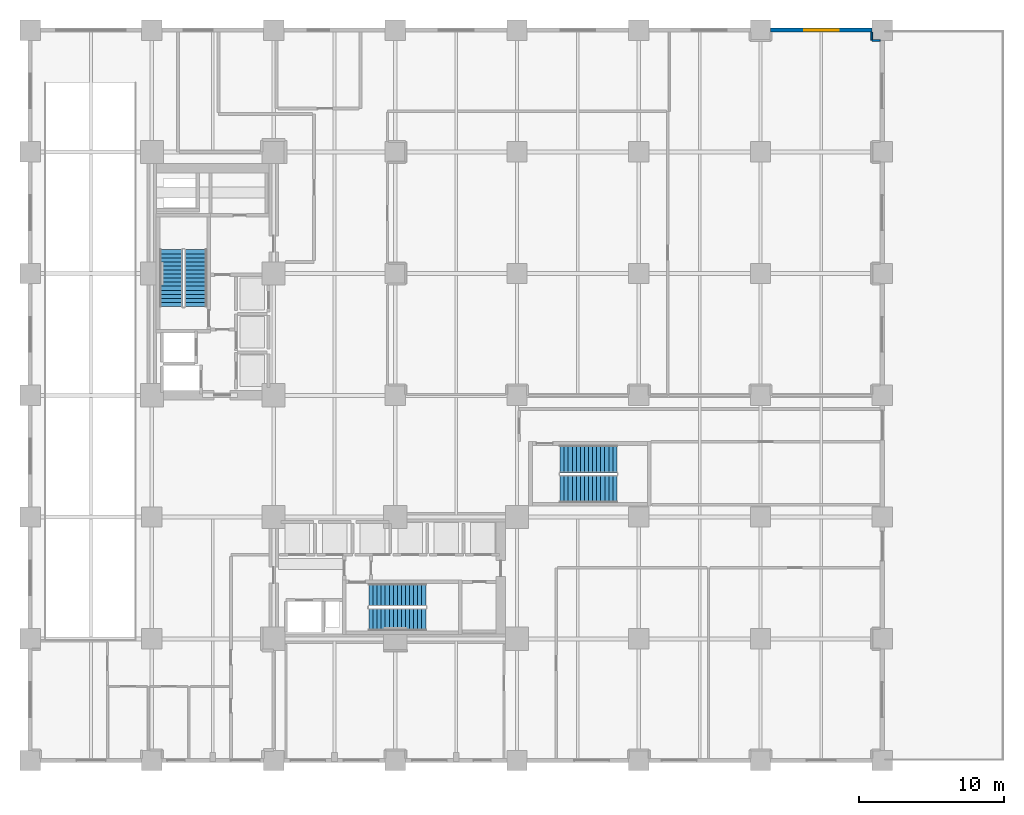
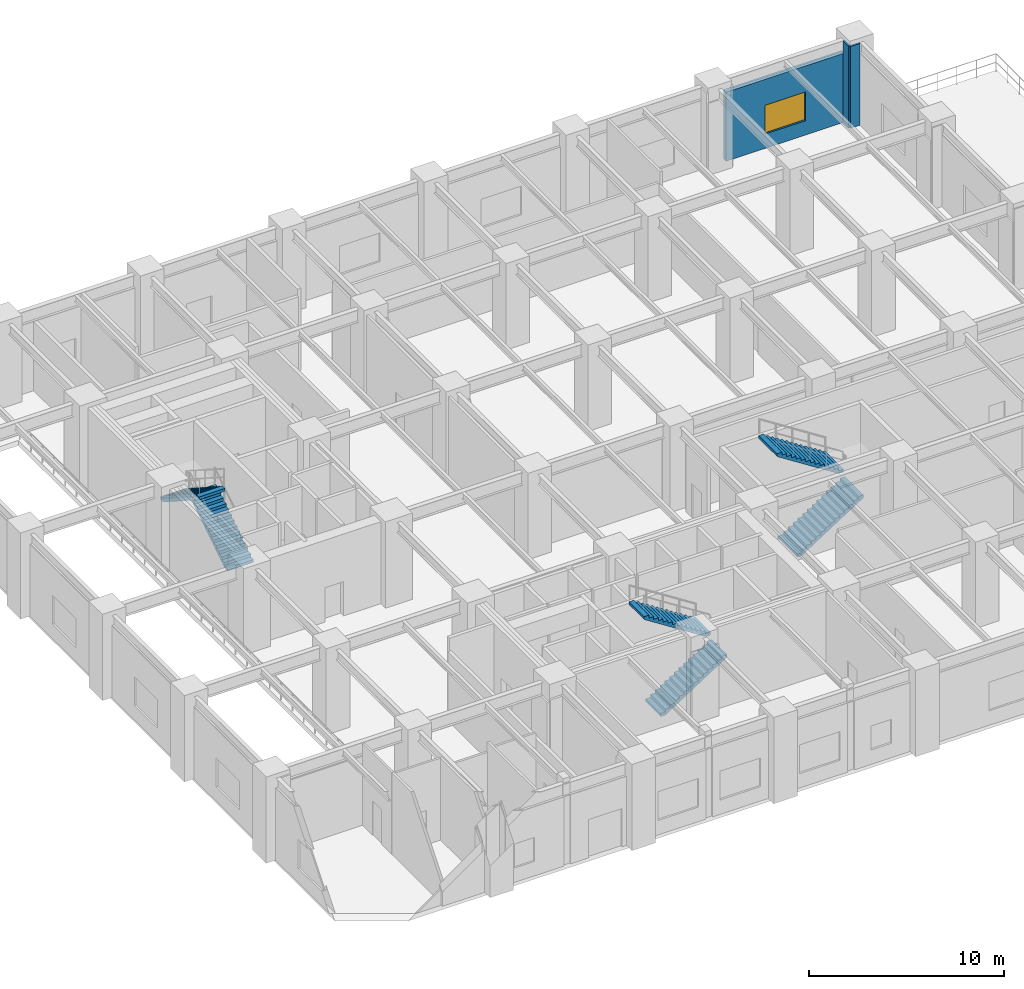
# One storey, part 8 of 13: 6 stair flights, 3 walls, 1 window, 1 opening, 3 elements without a shape of their own.
"""IFC4 building model written with IfcOpenShell, lengths in metres."""

from ifc_helpers import new_model, si_unit, direction, frame, frame_2d, origin, place, context, subcontext, project, spatial, polyline, rectangle, outline, extrude, material, layer, layer_set, type_object, element, fill, aggregate, save


model = new_model("IFC4")

# Units and contexts
model_context = context("Model", 3, precision=1e-05, world=origin(), true_north=direction((0.0, 1.0)))
body_context = subcontext(model_context, "Body", "Model", "MODEL_VIEW")
ifc_project = project(units=[si_unit("LENGTHUNIT", "METRE"), si_unit("AREAUNIT", "SQUARE_METRE"), si_unit("VOLUMEUNIT", "CUBIC_METRE"), si_unit("PLANEANGLEUNIT", "RADIAN"), si_unit("MASSUNIT", "GRAM", prefix="KILO")], contexts=[model_context])

# Site, building, storey
site_placement = place(None, origin())
site = spatial("IfcSite", under=ifc_project, at=site_placement, CompositionType="ELEMENT")
building_placement = place(site_placement, origin())
building = spatial("IfcBuilding", under=site, at=building_placement, Name="Nerrivon Quay Data Exchange", CompositionType="ELEMENT")
storey_placement = place(building_placement, origin())
storey = spatial("IfcBuildingStorey", under=building, at=storey_placement, Name="L00", CompositionType="ELEMENT", Elevation=0.0)

# Wall, opening, window
ifc_material_1 = material(Name="Precast concrete N50 (50 MPa)", Category="concrete")
ifc_layer_1 = layer(ifc_material_1, 0.280029296875)
ifc_layer_set_1 = layer_set([ifc_layer_1], Name="Precast concrete N50 (50 MPa)")
wall_type_1 = type_object("IfcWallType", Name="EW-PREC-280", PredefinedType="STANDARD", material=ifc_layer_set_1)
wall_1_placement = place(storey_placement, frame((51.10009765625, 50.39990234375, 0.0), z_axis=(0.0, 0.0, 1.0), x_axis=(1.0, 0.0, 0.0)))
wall_1 = element("IfcWall", 1, at=wall_1_placement, inside=storey, type_object=wall_type_1, Name="L00 Podium Exterior Wall 13", PredefinedType="STANDARD", context=body_context, shape_type="SweptSolid", body=[
    extrude(rectangle(XDim=7.0, YDim=0.280029296875, at=frame_2d((3.5, 0.0))), origin(), (0.0, 0.0, 1.0), 4.324951171875),
])
opening_placement = place(wall_1_placement, frame((2.300048828125, 0.0, 0.89990234375)))
opening = element("IfcOpeningElement", 2, at=opening_placement, cuts=wall_1, Name="Opening WN1", PredefinedType="OPENING", context=body_context, shape_type="SweptSolid", body=[
    extrude(rectangle(XDim=2.39990234375, YDim=1.800048828125, at=frame_2d((1.199951171875, 0.89990234375))), frame((0.0, 0.14990234375, 0.0), z_axis=(0.0, -1.0, 0.0), x_axis=(1.0, 0.0, 0.0)), (0.0, 0.0, 1.0), 0.300048828125),
])
ifc_material_2 = material(Name="Double-glazed low-E solar control glass", Category="glass")
window_type = type_object("IfcWindowType", Name="WIN-W1-2400x1800", PartitioningType="SINGLE_PANEL", PredefinedType="WINDOW", material=ifc_material_2)
window_placement = place(opening_placement, origin())
window = element("IfcWindow", 3, at=window_placement, inside=storey, type_object=window_type, Name="L00 Podium Window 13", OverallHeight=1.800048828125, OverallWidth=2.39990234375, PartitioningType="SINGLE_PANEL", PredefinedType="WINDOW", context=body_context, shape_type="SweptSolid", body=[
    extrude(rectangle(XDim=2.39990234375, YDim=1.800048828125, at=frame_2d((1.199951171875, 0.89990234375))), frame((0.0, 0.030029296875, 0.0), z_axis=(0.0, -1.0, 0.0), x_axis=(1.0, 0.0, 0.0)), (0.0, 0.0, 1.0), 0.06005859375),
])
fill(opening, window)

# Walls
ifc_material_3 = material(Name="Gypsum plasterboard on cold-formed framing", Category="gypsum")
ifc_layer_2 = layer(ifc_material_3, 0.1201171875)
ifc_layer_set_2 = layer_set([ifc_layer_2], Name="Gypsum plasterboard on cold-formed framing")
wall_type_2 = type_object("IfcWallType", Name="WALL-PT-120", PredefinedType="PARTITIONING", material=ifc_layer_set_2)
wall_2_placement = place(storey_placement, frame((58.656005859375, 49.679931640625, 0.0), z_axis=(0.0, 0.0, 1.0), x_axis=(-1.0, 0.0, 0.0)))
element("IfcWall", 4, at=wall_2_placement, inside=storey, type_object=wall_type_2, Name="L00 Partition Waterfront Cafe", PredefinedType="PARTITIONING", context=body_context, shape_type="SweptSolid", body=[
    extrude(rectangle(XDim=0.555908203125, YDim=0.1201171875, at=frame_2d((0.27783203125, 0.0))), origin(), (0.0, 0.0, 1.0), 5.125),
])
wall_3_placement = place(storey_placement, frame((58.080078125, 49.699951171875, 0.0), z_axis=(0.0, 0.0, 1.0), x_axis=(0.0, 1.0, 0.0)))
element("IfcWall", 5, at=wall_3_placement, inside=storey, type_object=wall_type_2, Name="L00 Partition Waterfront Cafe", PredefinedType="PARTITIONING", context=body_context, shape_type="SweptSolid", body=[
    extrude(rectangle(XDim=0.55615234375, YDim=0.1201171875, at=frame_2d((0.278076171875, 0.0))), origin(), (0.0, 0.0, 1.0), 5.125),
])

# Stair, stair flights
ifc_material_4 = material(Name="Concrete N50 (50 MPa)", Category="concrete")
stair_type = type_object("IfcStairType", Name="STAIR-DOG-54", PredefinedType="HALF_TURN_STAIR", material=ifc_material_4)
stair_1_placement = place(storey_placement, origin())
stair_1 = element("IfcStair", 6, at=stair_1_placement, inside=storey, type_object=stair_type, Name="L00 West Core Fire Stair ST01", PredefinedType="HALF_TURN_STAIR")
stair_flight_type = type_object("IfcStairFlightType", Name="FLIGHT-DOG-54", PredefinedType="STRAIGHT", material=ifc_material_4)
stair_flight_1_placement = place(storey_placement, frame((11.425048828125, 31.330078125, 0.0), z_axis=(0.0, 0.0, 1.0), x_axis=(0.0, 1.0, 0.0)))
stair_flight_1 = element("IfcStairFlight", 7, at=stair_flight_1_placement, type_object=stair_flight_type, Name="ST01 flight 1", NumberOfRisers=15, NumberOfTreads=14, PredefinedType="STRAIGHT", RiserHeight=0.18, TreadLength=0.28, context=body_context, shape_type="SweptSolid", body=[
    extrude(outline(polyline([(0.0, 0.0), (0.0, 0.179931640625), (0.280029296875, 0.179931640625), (0.280029296875, 0.360107421875), (0.56005859375, 0.360107421875), (0.56005859375, 0.5400390625), (0.840087890625, 0.5400390625), (0.840087890625, 0.719970703125), (1.1201171875, 0.719970703125), (1.1201171875, 0.89990234375), (1.39990234375, 0.89990234375), (1.39990234375, 1.080078125), (1.679931640625, 1.080078125), (1.679931640625, 1.260009765625), (1.9599609375, 1.260009765625), (1.9599609375, 1.43994140625), (2.239990234375, 1.43994140625), (2.239990234375, 1.6201171875), (2.52001953125, 1.6201171875), (2.52001953125, 1.800048828125), (2.800048828125, 1.800048828125), (2.800048828125, 1.97998046875), (3.080078125, 1.97998046875), (3.080078125, 2.159912109375), (3.360107421875, 2.159912109375), (3.360107421875, 2.340087890625), (3.639892578125, 2.340087890625), (3.639892578125, 2.52001953125), (3.919921875, 2.52001953125), (3.919921875, 2.699951171875), (3.919921875, 2.341796875), (0.277099609375, 0.0), (0.0, 0.0)])), frame((0.0, 0.77490234375, 0.0), z_axis=(0.0, -1.0, 0.0), x_axis=(1.0, 0.0, 0.0)), (0.0, 0.0, 1.0), 1.550048828125),
])
stair_flight_2_placement = place(storey_placement, frame((9.72509765625, 35.25, 2.699951171875), z_axis=(0.0, 0.0, 1.0), x_axis=(0.0, -1.0, 0.0)))
stair_flight_2 = element("IfcStairFlight", 8, at=stair_flight_2_placement, type_object=stair_flight_type, Name="ST01 flight 2", NumberOfRisers=15, NumberOfTreads=14, PredefinedType="STRAIGHT", RiserHeight=0.18, TreadLength=0.28, context=body_context, shape_type="SweptSolid", body=[
    extrude(outline(polyline([(0.0, 0.0), (0.0, 0.179931640625), (0.280029296875, 0.179931640625), (0.280029296875, 0.360107421875), (0.56005859375, 0.360107421875), (0.56005859375, 0.5400390625), (0.840087890625, 0.5400390625), (0.840087890625, 0.719970703125), (1.1201171875, 0.719970703125), (1.1201171875, 0.89990234375), (1.39990234375, 0.89990234375), (1.39990234375, 1.080078125), (1.679931640625, 1.080078125), (1.679931640625, 1.260009765625), (1.9599609375, 1.260009765625), (1.9599609375, 1.43994140625), (2.239990234375, 1.43994140625), (2.239990234375, 1.6201171875), (2.52001953125, 1.6201171875), (2.52001953125, 1.800048828125), (2.800048828125, 1.800048828125), (2.800048828125, 1.97998046875), (3.080078125, 1.97998046875), (3.080078125, 2.159912109375), (3.360107421875, 2.159912109375), (3.360107421875, 2.340087890625), (3.639892578125, 2.340087890625), (3.639892578125, 2.52001953125), (3.919921875, 2.52001953125), (3.919921875, 2.699951171875), (3.919921875, 2.341796875), (0.277099609375, 0.0), (0.0, 0.0)])), frame((0.0, 0.77490234375, 0.0), z_axis=(0.0, -1.0, 0.0), x_axis=(1.0, 0.0, 0.0)), (0.0, 0.0, 1.0), 1.550048828125),
])
aggregate(stair_1, [stair_flight_1, stair_flight_2])

stair_2_placement = place(storey_placement, origin())
stair_2 = element("IfcStair", 9, at=stair_2_placement, inside=storey, type_object=stair_type, Name="L00 East Core Fire Stair ST02", PredefinedType="HALF_TURN_STAIR")
stair_flight_3_placement = place(storey_placement, frame((23.3798828125, 9.72509765625, 0.0), z_axis=(0.0, 0.0, 1.0), x_axis=(1.0, 0.0, 0.0)))
stair_flight_3 = element("IfcStairFlight", 10, at=stair_flight_3_placement, type_object=stair_flight_type, Name="ST02 flight 1", NumberOfRisers=15, NumberOfTreads=14, PredefinedType="STRAIGHT", RiserHeight=0.18, TreadLength=0.28, context=body_context, shape_type="SweptSolid", body=[
    extrude(outline(polyline([(0.0, 0.0), (0.0, 0.179931640625), (0.280029296875, 0.179931640625), (0.280029296875, 0.360107421875), (0.56005859375, 0.360107421875), (0.56005859375, 0.5400390625), (0.840087890625, 0.5400390625), (0.840087890625, 0.719970703125), (1.1201171875, 0.719970703125), (1.1201171875, 0.89990234375), (1.39990234375, 0.89990234375), (1.39990234375, 1.080078125), (1.679931640625, 1.080078125), (1.679931640625, 1.260009765625), (1.9599609375, 1.260009765625), (1.9599609375, 1.43994140625), (2.239990234375, 1.43994140625), (2.239990234375, 1.6201171875), (2.52001953125, 1.6201171875), (2.52001953125, 1.800048828125), (2.800048828125, 1.800048828125), (2.800048828125, 1.97998046875), (3.080078125, 1.97998046875), (3.080078125, 2.159912109375), (3.360107421875, 2.159912109375), (3.360107421875, 2.340087890625), (3.639892578125, 2.340087890625), (3.639892578125, 2.52001953125), (3.919921875, 2.52001953125), (3.919921875, 2.699951171875), (3.919921875, 2.341796875), (0.277099609375, 0.0), (0.0, 0.0)])), frame((0.0, 0.77490234375, 0.0), z_axis=(0.0, -1.0, 0.0), x_axis=(1.0, 0.0, 0.0)), (0.0, 0.0, 1.0), 1.550048828125),
])
stair_flight_4_placement = place(storey_placement, frame((27.300048828125, 11.425048828125, 2.699951171875), z_axis=(0.0, 0.0, 1.0), x_axis=(-1.0, 0.0, 0.0)))
stair_flight_4 = element("IfcStairFlight", 11, at=stair_flight_4_placement, type_object=stair_flight_type, Name="ST02 flight 2", NumberOfRisers=15, NumberOfTreads=14, PredefinedType="STRAIGHT", RiserHeight=0.18, TreadLength=0.28, context=body_context, shape_type="SweptSolid", body=[
    extrude(outline(polyline([(0.0, 0.0), (0.0, 0.179931640625), (0.280029296875, 0.179931640625), (0.280029296875, 0.360107421875), (0.56005859375, 0.360107421875), (0.56005859375, 0.5400390625), (0.840087890625, 0.5400390625), (0.840087890625, 0.719970703125), (1.1201171875, 0.719970703125), (1.1201171875, 0.89990234375), (1.39990234375, 0.89990234375), (1.39990234375, 1.080078125), (1.679931640625, 1.080078125), (1.679931640625, 1.260009765625), (1.9599609375, 1.260009765625), (1.9599609375, 1.43994140625), (2.239990234375, 1.43994140625), (2.239990234375, 1.6201171875), (2.52001953125, 1.6201171875), (2.52001953125, 1.800048828125), (2.800048828125, 1.800048828125), (2.800048828125, 1.97998046875), (3.080078125, 1.97998046875), (3.080078125, 2.159912109375), (3.360107421875, 2.159912109375), (3.360107421875, 2.340087890625), (3.639892578125, 2.340087890625), (3.639892578125, 2.52001953125), (3.919921875, 2.52001953125), (3.919921875, 2.699951171875), (3.919921875, 2.341796875), (0.277099609375, 0.0), (0.0, 0.0)])), frame((0.0, 0.77490234375, 0.0), z_axis=(0.0, -1.0, 0.0), x_axis=(1.0, 0.0, 0.0)), (0.0, 0.0, 1.0), 1.550048828125),
])
aggregate(stair_2, [stair_flight_3, stair_flight_4])

stair_3_placement = place(storey_placement, origin())
stair_3 = element("IfcStair", 12, at=stair_3_placement, inside=storey, type_object=stair_type, Name="L00 Podium Exit Stair ST03", PredefinedType="HALF_TURN_STAIR")
stair_flight_5_placement = place(storey_placement, frame((36.570068359375, 18.75, 0.0), z_axis=(0.0, 0.0, 1.0), x_axis=(1.0, 0.0, 0.0)))
stair_flight_5 = element("IfcStairFlight", 13, at=stair_flight_5_placement, type_object=stair_flight_type, Name="ST03 flight 1", NumberOfRisers=15, NumberOfTreads=14, PredefinedType="STRAIGHT", RiserHeight=0.18, TreadLength=0.28, context=body_context, shape_type="SweptSolid", body=[
    extrude(outline(polyline([(0.0, 0.0), (0.0, 0.179931640625), (0.280029296875, 0.179931640625), (0.280029296875, 0.360107421875), (0.56005859375, 0.360107421875), (0.56005859375, 0.5400390625), (0.840087890625, 0.5400390625), (0.840087890625, 0.719970703125), (1.1201171875, 0.719970703125), (1.1201171875, 0.89990234375), (1.39990234375, 0.89990234375), (1.39990234375, 1.080078125), (1.679931640625, 1.080078125), (1.679931640625, 1.260009765625), (1.9599609375, 1.260009765625), (1.9599609375, 1.43994140625), (2.239990234375, 1.43994140625), (2.239990234375, 1.6201171875), (2.52001953125, 1.6201171875), (2.52001953125, 1.800048828125), (2.800048828125, 1.800048828125), (2.800048828125, 1.97998046875), (3.080078125, 1.97998046875), (3.080078125, 2.159912109375), (3.360107421875, 2.159912109375), (3.360107421875, 2.340087890625), (3.639892578125, 2.340087890625), (3.639892578125, 2.52001953125), (3.919921875, 2.52001953125), (3.919921875, 2.699951171875), (3.919921875, 2.341796875), (0.277099609375, 0.0), (0.0, 0.0)])), frame((0.0, 0.949951171875, 0.0), z_axis=(0.0, -1.0, 0.0), x_axis=(1.0, 0.0, 0.0)), (0.0, 0.0, 1.0), 1.89990234375),
])
stair_flight_6_placement = place(storey_placement, frame((40.489990234375, 20.800048828125, 2.699951171875), z_axis=(0.0, 0.0, 1.0), x_axis=(-1.0, 0.0, 0.0)))
stair_flight_6 = element("IfcStairFlight", 14, at=stair_flight_6_placement, type_object=stair_flight_type, Name="ST03 flight 2", NumberOfRisers=15, NumberOfTreads=14, PredefinedType="STRAIGHT", RiserHeight=0.18, TreadLength=0.28, context=body_context, shape_type="SweptSolid", body=[
    extrude(outline(polyline([(0.0, 0.0), (0.0, 0.179931640625), (0.280029296875, 0.179931640625), (0.280029296875, 0.360107421875), (0.56005859375, 0.360107421875), (0.56005859375, 0.5400390625), (0.840087890625, 0.5400390625), (0.840087890625, 0.719970703125), (1.1201171875, 0.719970703125), (1.1201171875, 0.89990234375), (1.39990234375, 0.89990234375), (1.39990234375, 1.080078125), (1.679931640625, 1.080078125), (1.679931640625, 1.260009765625), (1.9599609375, 1.260009765625), (1.9599609375, 1.43994140625), (2.239990234375, 1.43994140625), (2.239990234375, 1.6201171875), (2.52001953125, 1.6201171875), (2.52001953125, 1.800048828125), (2.800048828125, 1.800048828125), (2.800048828125, 1.97998046875), (3.080078125, 1.97998046875), (3.080078125, 2.159912109375), (3.360107421875, 2.159912109375), (3.360107421875, 2.340087890625), (3.639892578125, 2.340087890625), (3.639892578125, 2.52001953125), (3.919921875, 2.52001953125), (3.919921875, 2.699951171875), (3.919921875, 2.341796875), (0.277099609375, 0.0), (0.0, 0.0)])), frame((0.0, 0.949951171875, 0.0), z_axis=(0.0, -1.0, 0.0), x_axis=(1.0, 0.0, 0.0)), (0.0, 0.0, 1.0), 1.89990234375),
])
aggregate(stair_3, [stair_flight_5, stair_flight_6])

save(model, "model.ifc")
